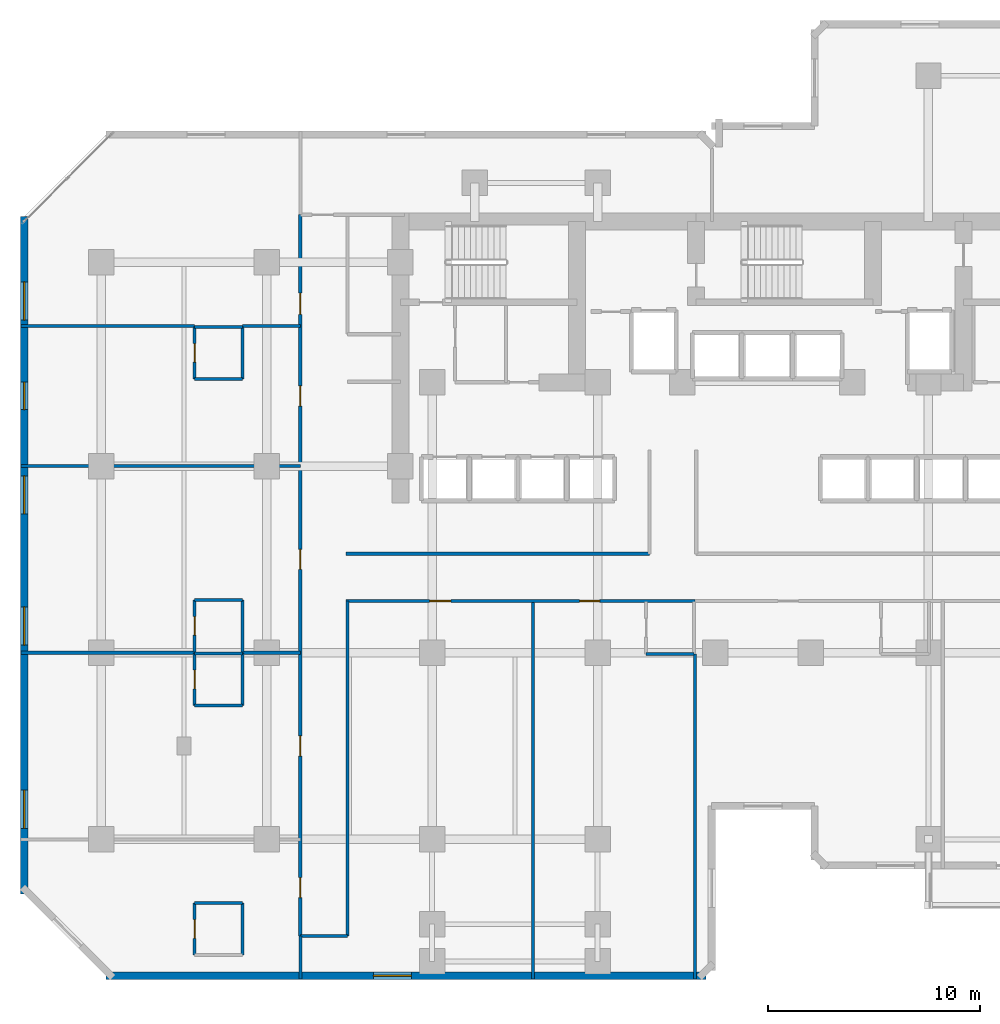
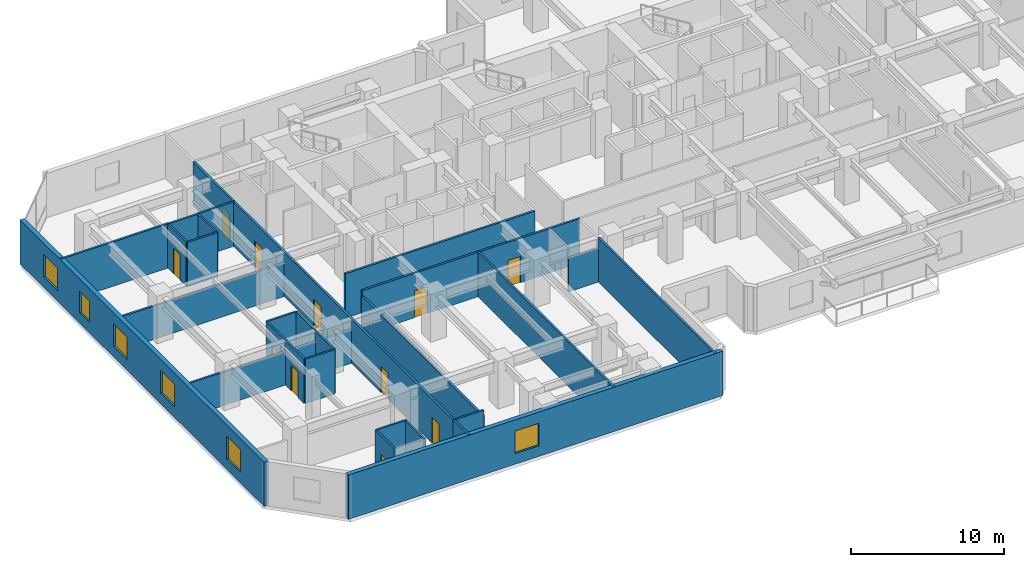
# One storey, part 5 of 11: 30 walls, 11 doors, 6 windows, 17 openings.
"""IFC4 building model written with IfcOpenShell, lengths in metres."""

from ifc_helpers import new_model, si_unit, direction, frame, frame_2d, origin, place, context, subcontext, project, spatial, rectangle, extrude, material, layer, layer_set, type_object, element, fill, save


model = new_model("IFC4")

# Units and contexts
model_context = context("Model", 3, precision=1e-05, world=origin(), true_north=direction((0.0, 1.0)))
body_context = subcontext(model_context, "Body", "Model", "MODEL_VIEW")
ifc_project = project(units=[si_unit("LENGTHUNIT", "METRE"), si_unit("AREAUNIT", "SQUARE_METRE"), si_unit("VOLUMEUNIT", "CUBIC_METRE"), si_unit("PLANEANGLEUNIT", "RADIAN"), si_unit("MASSUNIT", "GRAM", prefix="KILO")], contexts=[model_context])

# Site, building, storey
site_placement = place(None, origin())
site = spatial("IfcSite", under=ifc_project, at=site_placement, CompositionType="ELEMENT")
building_placement = place(site_placement, origin())
building = spatial("IfcBuilding", under=site, at=building_placement, Name="Kestravale Grand Hotel", CompositionType="ELEMENT")
storey_placement = place(building_placement, frame((0.0, 0.0, 114.60009765625)))
storey = spatial("IfcBuildingStorey", under=building, at=storey_placement, Name="L28", CompositionType="ELEMENT", Elevation=114.60009765625)

# Wall, opening, window
ifc_material_1 = material(Name="Precast concrete f'c 45 MPa", Category="concrete")
ifc_layer_1 = layer(ifc_material_1, 0.340087890625)
ifc_layer_set_1 = layer_set([ifc_layer_1], Name="EW-PREC-340")
wall_type_1 = type_object("IfcWallType", Name="EW-PREC-340", PredefinedType="SOLIDWALL", material=ifc_layer_set_1)
wall_1_placement = place(storey_placement, frame((8.030029296875, 4.77001953125, 0.0), z_axis=(0.0, 0.0, 1.0), x_axis=(1.0, 0.0, 0.0)))
wall_1 = element("IfcWall", 1, at=wall_1_placement, inside=storey, type_object=wall_type_1, Name="L28 fluted precast facade wall 1", PredefinedType="SOLIDWALL", context=body_context, shape_type="SweptSolid", body=[
    extrude(rectangle(XDim=28.2900390625, YDim=0.340087890625, at=frame_2d((14.14501953125, 0.0))), origin(), (0.0, 0.0, 1.0), 3.539794921875),
])
opening_1_placement = place(wall_1_placement, frame((12.594970703125, 0.0, 0.85009765625)))
opening_1 = element("IfcOpeningElement", 2, at=opening_1_placement, cuts=wall_1, Name="Opening W-GUEST-1800", PredefinedType="OPENING", context=body_context, shape_type="SweptSolid", body=[
    extrude(rectangle(XDim=1.800048828125, YDim=1.800048828125, at=frame_2d((0.89990234375, 0.89990234375))), frame((0.0, 0.179931640625, 0.0), z_axis=(0.0, -1.0, 0.0), x_axis=(1.0, 0.0, 0.0)), (0.0, 0.0, 1.0), 0.360107421875),
])
ifc_material_2 = material(Name="Insulated low-E double glazing in aluminium frame", Category="aluminium")
window_type_1 = type_object("IfcWindowType", Name="W-GUEST-1800", PartitioningType="DOUBLE_PANEL_VERTICAL", PredefinedType="WINDOW", material=ifc_material_2)
window_1_placement = place(opening_1_placement, origin())
window_1 = element("IfcWindow", 3, at=window_1_placement, inside=storey, type_object=window_type_1, Name="L28 exterior window 1.1", OverallHeight=1.800048828125, OverallWidth=1.800048828125, PartitioningType="SINGLE_PANEL", PredefinedType="WINDOW", context=body_context, shape_type="SweptSolid", body=[
    extrude(rectangle(XDim=1.800048828125, YDim=1.800048828125, at=frame_2d((0.89990234375, 0.89990234375))), frame((0.0, 0.030029296875, 0.0), z_axis=(0.0, -1.0, 0.0), x_axis=(1.0, 0.0, 0.0)), (0.0, 0.0, 1.0), 0.06005859375),
])
fill(opening_1, window_1)

# Wall, openings, windows
wall_2_placement = place(storey_placement, frame((4.169921875, 40.570068359375, 0.0), z_axis=(0.0, 0.0, 1.0), x_axis=(0.0, -1.0, 0.0)))
wall_2 = element("IfcWall", 4, at=wall_2_placement, inside=storey, type_object=wall_type_1, Name="L28 fluted precast facade wall 19", PredefinedType="SOLIDWALL", context=body_context, shape_type="SweptSolid", body=[
    extrude(rectangle(XDim=31.940185546875, YDim=0.340087890625, at=frame_2d((15.97021484375, 0.0))), origin(), (0.0, 0.0, 1.0), 3.539794921875),
])
opening_2_placement = place(wall_2_placement, frame((3.092529296875, 0.0, 0.85009765625)))
opening_2 = element("IfcOpeningElement", 5, at=opening_2_placement, cuts=wall_2, Name="Opening W-GUEST-1800", PredefinedType="OPENING", context=body_context, shape_type="SweptSolid", body=[
    extrude(rectangle(XDim=1.800048828125, YDim=1.800048828125, at=frame_2d((0.89990234375, 0.89990234375))), frame((0.0, 0.179931640625, 0.0), z_axis=(0.0, -1.0, 0.0), x_axis=(1.0, 0.0, 0.0)), (0.0, 0.0, 1.0), 0.360107421875),
])
opening_3_placement = place(wall_2_placement, frame((12.2275390625, 0.0, 0.85009765625)))
opening_3 = element("IfcOpeningElement", 6, at=opening_3_placement, cuts=wall_2, Name="Opening W-GUEST-1800", PredefinedType="OPENING", context=body_context, shape_type="SweptSolid", body=[
    extrude(rectangle(XDim=1.800048828125, YDim=1.800048828125, at=frame_2d((0.89990234375, 0.89990234375))), frame((0.0, 0.179931640625, 0.0), z_axis=(0.0, -1.0, 0.0), x_axis=(1.0, 0.0, 0.0)), (0.0, 0.0, 1.0), 0.360107421875),
])
opening_4_placement = place(wall_2_placement, frame((18.41259765625, 0.0, 0.85009765625)))
opening_4 = element("IfcOpeningElement", 7, at=opening_4_placement, cuts=wall_2, Name="Opening W-GUEST-1800", PredefinedType="OPENING", context=body_context, shape_type="SweptSolid", body=[
    extrude(rectangle(XDim=1.800048828125, YDim=1.800048828125, at=frame_2d((0.89990234375, 0.89990234375))), frame((0.0, 0.179931640625, 0.0), z_axis=(0.0, -1.0, 0.0), x_axis=(1.0, 0.0, 0.0)), (0.0, 0.0, 1.0), 0.360107421875),
])
opening_5_placement = place(wall_2_placement, frame((27.047607421875, 0.0, 0.85009765625)))
opening_5 = element("IfcOpeningElement", 8, at=opening_5_placement, cuts=wall_2, Name="Opening W-GUEST-1800", PredefinedType="OPENING", context=body_context, shape_type="SweptSolid", body=[
    extrude(rectangle(XDim=1.800048828125, YDim=1.800048828125, at=frame_2d((0.89990234375, 0.89990234375))), frame((0.0, 0.179931640625, 0.0), z_axis=(0.0, -1.0, 0.0), x_axis=(1.0, 0.0, 0.0)), (0.0, 0.0, 1.0), 0.360107421875),
])
opening_6_placement = place(wall_2_placement, frame((7.81005859375, 0.0, 0.85009765625)))
opening_6 = element("IfcOpeningElement", 9, at=opening_6_placement, cuts=wall_2, Name="Opening W-GUEST-1300", PredefinedType="OPENING", context=body_context, shape_type="SweptSolid", body=[
    extrude(rectangle(XDim=1.300048828125, YDim=1.699951171875, at=frame_2d((0.64990234375, 0.85009765625))), frame((0.0, 0.179931640625, 0.0), z_axis=(0.0, -1.0, 0.0), x_axis=(1.0, 0.0, 0.0)), (0.0, 0.0, 1.0), 0.360107421875),
])
ifc_material_3 = material(Name="Insulated low-E double glazing in aluminium frame", Category="aluminium")
window_type_2 = type_object("IfcWindowType", Name="W-GUEST-1300", PartitioningType="SINGLE_PANEL", PredefinedType="WINDOW", material=ifc_material_3)
window_2_placement = place(opening_6_placement, origin())
window_2 = element("IfcWindow", 10, at=window_2_placement, inside=storey, type_object=window_type_2, Name="L28 guestroom envelope window 1", OverallHeight=1.699951171875, OverallWidth=1.300048828125, PartitioningType="SINGLE_PANEL", PredefinedType="WINDOW", context=body_context, shape_type="SweptSolid", body=[
    extrude(rectangle(XDim=1.300048828125, YDim=1.699951171875, at=frame_2d((0.64990234375, 0.85009765625))), frame((0.0, 0.030029296875, 0.0), z_axis=(0.0, -1.0, 0.0), x_axis=(1.0, 0.0, 0.0)), (0.0, 0.0, 1.0), 0.06005859375),
])
fill(opening_6, window_2)
window_3_placement = place(opening_2_placement, origin())
window_3 = element("IfcWindow", 11, at=window_3_placement, inside=storey, type_object=window_type_1, Name="L28 exterior window 19.1", OverallHeight=1.800048828125, OverallWidth=1.800048828125, PartitioningType="SINGLE_PANEL", PredefinedType="WINDOW", context=body_context, shape_type="SweptSolid", body=[
    extrude(rectangle(XDim=1.800048828125, YDim=1.800048828125, at=frame_2d((0.89990234375, 0.89990234375))), frame((0.0, 0.030029296875, 0.0), z_axis=(0.0, -1.0, 0.0), x_axis=(1.0, 0.0, 0.0)), (0.0, 0.0, 1.0), 0.06005859375),
])
fill(opening_2, window_3)
window_4_placement = place(opening_3_placement, origin())
window_4 = element("IfcWindow", 12, at=window_4_placement, inside=storey, type_object=window_type_1, Name="L28 exterior window 19.2", OverallHeight=1.800048828125, OverallWidth=1.800048828125, PartitioningType="SINGLE_PANEL", PredefinedType="WINDOW", context=body_context, shape_type="SweptSolid", body=[
    extrude(rectangle(XDim=1.800048828125, YDim=1.800048828125, at=frame_2d((0.89990234375, 0.89990234375))), frame((0.0, 0.030029296875, 0.0), z_axis=(0.0, -1.0, 0.0), x_axis=(1.0, 0.0, 0.0)), (0.0, 0.0, 1.0), 0.06005859375),
])
fill(opening_3, window_4)
window_5_placement = place(opening_4_placement, origin())
window_5 = element("IfcWindow", 13, at=window_5_placement, inside=storey, type_object=window_type_1, Name="L28 exterior window 19.3", OverallHeight=1.800048828125, OverallWidth=1.800048828125, PartitioningType="SINGLE_PANEL", PredefinedType="WINDOW", context=body_context, shape_type="SweptSolid", body=[
    extrude(rectangle(XDim=1.800048828125, YDim=1.800048828125, at=frame_2d((0.89990234375, 0.89990234375))), frame((0.0, 0.030029296875, 0.0), z_axis=(0.0, -1.0, 0.0), x_axis=(1.0, 0.0, 0.0)), (0.0, 0.0, 1.0), 0.06005859375),
])
fill(opening_4, window_5)
window_6_placement = place(opening_5_placement, origin())
window_6 = element("IfcWindow", 14, at=window_6_placement, inside=storey, type_object=window_type_1, Name="L28 exterior window 19.4", OverallHeight=1.800048828125, OverallWidth=1.800048828125, PartitioningType="SINGLE_PANEL", PredefinedType="WINDOW", context=body_context, shape_type="SweptSolid", body=[
    extrude(rectangle(XDim=1.800048828125, YDim=1.800048828125, at=frame_2d((0.89990234375, 0.89990234375))), frame((0.0, 0.030029296875, 0.0), z_axis=(0.0, -1.0, 0.0), x_axis=(1.0, 0.0, 0.0)), (0.0, 0.0, 1.0), 0.06005859375),
])
fill(opening_5, window_6)

# Wall
ifc_material_4 = material(Name="Acoustic fire-rated gypsum board partition", Category="other")
ifc_layer_2 = layer(ifc_material_4, 0.159912109375)
ifc_layer_set_2 = layer_set([ifc_layer_2], Name="IW-CORR-160")
wall_type_2 = type_object("IfcWallType", Name="IW-CORR-160", PredefinedType="PARTITIONING", material=ifc_layer_set_2)
wall_3_placement = place(storey_placement, frame((19.35009765625, 24.659912109375, 0.0), z_axis=(0.0, 0.0, 1.0), x_axis=(1.0, 0.0, 0.0)))
element("IfcWall", 15, at=wall_3_placement, inside=storey, type_object=wall_type_2, Name="W-L28-CW-N", PredefinedType="PARTITIONING", context=body_context, shape_type="SweptSolid", body=[
    extrude(rectangle(XDim=14.2998046875, YDim=0.159912109375, at=frame_2d((7.14990234375, 0.0))), origin(), (0.0, 0.0, 1.0), 3.539794921875),
])

# Wall, openings, doors
wall_4_placement = place(storey_placement, frame((19.35009765625, 22.43994140625, 0.0), z_axis=(0.0, 0.0, 1.0), x_axis=(1.0, 0.0, 0.0)))
wall_4 = element("IfcWall", 16, at=wall_4_placement, inside=storey, type_object=wall_type_2, Name="W-L28-CW-S", PredefinedType="PARTITIONING", context=body_context, shape_type="SweptSolid", body=[
    extrude(rectangle(XDim=16.449951171875, YDim=0.159912109375, at=frame_2d((8.22509765625, 0.0))), origin(), (0.0, 0.0, 1.0), 3.539794921875),
])
opening_7_placement = place(wall_4_placement, frame((3.9326171875, 0.0, 0.0)))
opening_7 = element("IfcOpeningElement", 17, at=opening_7_placement, cuts=wall_4, Name="Opening D-GUEST-1000", PredefinedType="OPENING", context=body_context, shape_type="SweptSolid", body=[
    extrude(rectangle(XDim=1.0, YDim=2.14990234375, at=frame_2d((0.5, 1.074951171875))), frame((0.0, 0.08984375, 0.0), z_axis=(0.0, -1.0, 0.0), x_axis=(1.0, 0.0, 0.0)), (0.0, 0.0, 1.0), 0.179931640625),
])
opening_8_placement = place(wall_4_placement, frame((10.99755859375, 0.0, 0.0)))
opening_8 = element("IfcOpeningElement", 18, at=opening_8_placement, cuts=wall_4, Name="Opening D-GUEST-950", PredefinedType="OPENING", context=body_context, shape_type="SweptSolid", body=[
    extrude(rectangle(XDim=0.949951171875, YDim=2.10009765625, at=frame_2d((0.47509765625, 1.050048828125))), frame((0.0, 0.08984375, 0.0), z_axis=(0.0, -1.0, 0.0), x_axis=(1.0, 0.0, 0.0)), (0.0, 0.0, 1.0), 0.179931640625),
])
ifc_material_5 = material(Name="Accessible walnut veneer hotel entrance fire door", Category="wood")
door_type_1 = type_object("IfcDoorType", Name="D-GUEST-1000", OperationType="NOTDEFINED", PredefinedType="DOOR", material=ifc_material_5)
door_1_placement = place(opening_7_placement, origin())
door_1 = element("IfcDoor", 19, at=door_1_placement, inside=storey, type_object=door_type_1, Name="D-L28-AMW", OperationType="SINGLE_SWING_LEFT", OverallHeight=2.14990234375, OverallWidth=1.0, PredefinedType="DOOR", context=body_context, shape_type="SweptSolid", body=[
    extrude(rectangle(XDim=1.0, YDim=2.14990234375, at=frame_2d((0.5, 1.074951171875))), frame((0.0, 0.02490234375, 0.0), z_axis=(0.0, -1.0, 0.0), x_axis=(1.0, 0.0, 0.0)), (0.0, 0.0, 1.0), 0.050048828125),
])
fill(opening_7, door_1)
ifc_material_6 = material(Name="Walnut veneer hotel guestroom entrance fire door", Category="wood")
door_type_2 = type_object("IfcDoorType", Name="D-GUEST-950", OperationType="NOTDEFINED", PredefinedType="DOOR", material=ifc_material_6)
door_2_placement = place(opening_8_placement, origin())
door_2 = element("IfcDoor", 20, at=door_2_placement, inside=storey, type_object=door_type_2, Name="D-L28-U01-ENT", OperationType="SINGLE_SWING_LEFT", OverallHeight=2.10009765625, OverallWidth=0.949951171875, PredefinedType="DOOR", context=body_context, shape_type="SweptSolid", body=[
    extrude(rectangle(XDim=0.949951171875, YDim=2.10009765625, at=frame_2d((0.47509765625, 1.050048828125))), frame((0.0, 0.02490234375, 0.0), z_axis=(0.0, -1.0, 0.0), x_axis=(1.0, 0.0, 0.0)), (0.0, 0.0, 1.0), 0.050048828125),
])
fill(opening_8, door_2)

wall_5_placement = place(storey_placement, frame((17.18994140625, 6.64990234375, 0.0), z_axis=(0.0, 0.0, 1.0), x_axis=(0.0, 1.0, 0.0)))
wall_5 = element("IfcWall", 21, at=wall_5_placement, inside=storey, type_object=wall_type_2, Name="W-L28-SW-W", PredefinedType="PARTITIONING", context=body_context, shape_type="SweptSolid", body=[
    extrude(rectangle(XDim=34.0, YDim=0.159912109375, at=frame_2d((17.0, 0.0))), origin(), (0.0, 0.0, 1.0), 3.539794921875),
])
opening_9_placement = place(wall_5_placement, frame((1.800048828125, 0.0, 0.0)))
opening_9 = element("IfcOpeningElement", 22, at=opening_9_placement, cuts=wall_5, Name="Opening D-GUEST-950", PredefinedType="OPENING", context=body_context, shape_type="SweptSolid", body=[
    extrude(rectangle(XDim=0.949951171875, YDim=2.10009765625, at=frame_2d((0.47509765625, 1.050048828125))), frame((0.0, 0.08984375, 0.0), z_axis=(0.0, -1.0, 0.0), x_axis=(1.0, 0.0, 0.0)), (0.0, 0.0, 1.0), 0.179931640625),
])
opening_10_placement = place(wall_5_placement, frame((8.47509765625, 0.0, 0.0)))
opening_10 = element("IfcOpeningElement", 23, at=opening_10_placement, cuts=wall_5, Name="Opening D-GUEST-950", PredefinedType="OPENING", context=body_context, shape_type="SweptSolid", body=[
    extrude(rectangle(XDim=0.949951171875, YDim=2.10009765625, at=frame_2d((0.47509765625, 1.050048828125))), frame((0.0, 0.08984375, 0.0), z_axis=(0.0, -1.0, 0.0), x_axis=(1.0, 0.0, 0.0)), (0.0, 0.0, 1.0), 0.179931640625),
])
opening_11_placement = place(wall_5_placement, frame((17.27490234375, 0.0, 0.0)))
opening_11 = element("IfcOpeningElement", 24, at=opening_11_placement, cuts=wall_5, Name="Opening D-GUEST-950", PredefinedType="OPENING", context=body_context, shape_type="SweptSolid", body=[
    extrude(rectangle(XDim=0.949951171875, YDim=2.10009765625, at=frame_2d((0.47509765625, 1.050048828125))), frame((0.0, 0.08984375, 0.0), z_axis=(0.0, -1.0, 0.0), x_axis=(1.0, 0.0, 0.0)), (0.0, 0.0, 1.0), 0.179931640625),
])
opening_12_placement = place(wall_5_placement, frame((24.97509765625, 0.0, 0.0)))
opening_12 = element("IfcOpeningElement", 25, at=opening_12_placement, cuts=wall_5, Name="Opening D-GUEST-950", PredefinedType="OPENING", context=body_context, shape_type="SweptSolid", body=[
    extrude(rectangle(XDim=0.949951171875, YDim=2.10009765625, at=frame_2d((0.47509765625, 1.050048828125))), frame((0.0, 0.08984375, 0.0), z_axis=(0.0, -1.0, 0.0), x_axis=(1.0, 0.0, 0.0)), (0.0, 0.0, 1.0), 0.179931640625),
])
opening_13_placement = place(wall_5_placement, frame((29.300048828125, 0.0, 0.0)))
opening_13 = element("IfcOpeningElement", 26, at=opening_13_placement, cuts=wall_5, Name="Opening D-GUEST-1000", PredefinedType="OPENING", context=body_context, shape_type="SweptSolid", body=[
    extrude(rectangle(XDim=1.0, YDim=2.14990234375, at=frame_2d((0.5, 1.074951171875))), frame((0.0, 0.08984375, 0.0), z_axis=(0.0, -1.0, 0.0), x_axis=(1.0, 0.0, 0.0)), (0.0, 0.0, 1.0), 0.179931640625),
])
door_3_placement = place(opening_13_placement, origin())
door_3 = element("IfcDoor", 27, at=door_3_placement, inside=storey, type_object=door_type_1, Name="D-L28-AMWW", OperationType="SINGLE_SWING_LEFT", OverallHeight=2.14990234375, OverallWidth=1.0, PredefinedType="DOOR", context=body_context, shape_type="SweptSolid", body=[
    extrude(rectangle(XDim=1.0, YDim=2.14990234375, at=frame_2d((0.5, 1.074951171875))), frame((0.0, 0.02490234375, 0.0), z_axis=(0.0, -1.0, 0.0), x_axis=(1.0, 0.0, 0.0)), (0.0, 0.0, 1.0), 0.050048828125),
])
fill(opening_13, door_3)
door_4_placement = place(opening_9_placement, origin())
door_4 = element("IfcDoor", 28, at=door_4_placement, inside=storey, type_object=door_type_2, Name="D-L28-U03-ENT", OperationType="SINGLE_SWING_RIGHT", OverallHeight=2.10009765625, OverallWidth=0.949951171875, PredefinedType="DOOR", context=body_context, shape_type="SweptSolid", body=[
    extrude(rectangle(XDim=0.949951171875, YDim=2.10009765625, at=frame_2d((0.47509765625, 1.050048828125))), frame((0.0, 0.02490234375, 0.0), z_axis=(0.0, -1.0, 0.0), x_axis=(1.0, 0.0, 0.0)), (0.0, 0.0, 1.0), 0.050048828125),
])
fill(opening_9, door_4)
door_5_placement = place(opening_10_placement, origin())
door_5 = element("IfcDoor", 29, at=door_5_placement, inside=storey, type_object=door_type_2, Name="D-L28-U04-ENT", OperationType="SINGLE_SWING_RIGHT", OverallHeight=2.10009765625, OverallWidth=0.949951171875, PredefinedType="DOOR", context=body_context, shape_type="SweptSolid", body=[
    extrude(rectangle(XDim=0.949951171875, YDim=2.10009765625, at=frame_2d((0.47509765625, 1.050048828125))), frame((0.0, 0.02490234375, 0.0), z_axis=(0.0, -1.0, 0.0), x_axis=(1.0, 0.0, 0.0)), (0.0, 0.0, 1.0), 0.050048828125),
])
fill(opening_10, door_5)
door_6_placement = place(opening_11_placement, origin())
door_6 = element("IfcDoor", 30, at=door_6_placement, inside=storey, type_object=door_type_2, Name="D-L28-U05-ENT", OperationType="SINGLE_SWING_RIGHT", OverallHeight=2.10009765625, OverallWidth=0.949951171875, PredefinedType="DOOR", context=body_context, shape_type="SweptSolid", body=[
    extrude(rectangle(XDim=0.949951171875, YDim=2.10009765625, at=frame_2d((0.47509765625, 1.050048828125))), frame((0.0, 0.02490234375, 0.0), z_axis=(0.0, -1.0, 0.0), x_axis=(1.0, 0.0, 0.0)), (0.0, 0.0, 1.0), 0.050048828125),
])
fill(opening_11, door_6)
door_7_placement = place(opening_12_placement, origin())
door_7 = element("IfcDoor", 31, at=door_7_placement, inside=storey, type_object=door_type_2, Name="D-L28-U06-ENT", OperationType="SINGLE_SWING_RIGHT", OverallHeight=2.10009765625, OverallWidth=0.949951171875, PredefinedType="DOOR", context=body_context, shape_type="SweptSolid", body=[
    extrude(rectangle(XDim=0.949951171875, YDim=2.10009765625, at=frame_2d((0.47509765625, 1.050048828125))), frame((0.0, 0.02490234375, 0.0), z_axis=(0.0, -1.0, 0.0), x_axis=(1.0, 0.0, 0.0)), (0.0, 0.0, 1.0), 0.050048828125),
])
fill(opening_12, door_7)

# Walls
wall_6_placement = place(storey_placement, frame((19.409912109375, 6.64990234375, 0.0), z_axis=(0.0, 0.0, 1.0), x_axis=(0.0, 1.0, 0.0)))
element("IfcWall", 32, at=wall_6_placement, inside=storey, type_object=wall_type_2, Name="W-L28-SW-E", PredefinedType="PARTITIONING", context=body_context, shape_type="SweptSolid", body=[
    extrude(rectangle(XDim=15.7900390625, YDim=0.159912109375, at=frame_2d((7.89501953125, 0.0))), origin(), (0.0, 0.0, 1.0), 3.0830078125),
])
ifc_material_7 = material(Name="Moisture-resistant tile-backer plumbing chase wall", Category="other")
ifc_layer_3 = layer(ifc_material_7, 0.139892578125)
ifc_layer_set_3 = layer_set([ifc_layer_3], Name="IW-PLB-140")
wall_type_3 = type_object("IfcWallType", Name="IW-PLB-140", PredefinedType="PLUMBINGWALL", material=ifc_layer_set_3)
wall_7_placement = place(storey_placement, frame((33.489990234375, 19.929931640625, 0.0), z_axis=(0.0, 0.0, 1.0), x_axis=(1.0, 0.0, 0.0)))
element("IfcWall", 33, at=wall_7_placement, inside=storey, type_object=wall_type_3, Name="W-L28-U01-BS", PredefinedType="PLUMBINGWALL", context=body_context, shape_type="SweptSolid", body=[
    extrude(rectangle(XDim=2.25, YDim=0.139892578125, at=frame_2d((1.125, 0.0))), origin(), (0.0, 0.0, 1.0), 2.678955078125),
])

# Wall, opening, door
wall_8_placement = place(storey_placement, frame((12.199951171875, 5.75, 0.0), z_axis=(0.0, 0.0, 1.0), x_axis=(0.0, 1.0, 0.0)))
wall_8 = element("IfcWall", 34, at=wall_8_placement, inside=storey, type_object=wall_type_3, Name="W-L28-U03-BW", PredefinedType="PLUMBINGWALL", context=body_context, shape_type="SweptSolid", body=[
    extrude(rectangle(XDim=2.449951171875, YDim=0.139892578125, at=frame_2d((1.22509765625, 0.0))), origin(), (0.0, 0.0, 1.0), 3.539794921875),
])
opening_14_placement = place(wall_8_placement, frame((0.784912109375, 0.0, 0.0)))
opening_14 = element("IfcOpeningElement", 35, at=opening_14_placement, cuts=wall_8, Name="Opening D-BATH-880", PredefinedType="OPENING", context=body_context, shape_type="SweptSolid", body=[
    extrude(rectangle(XDim=0.8798828125, YDim=2.050048828125, at=frame_2d((0.43994140625, 1.02490234375))), frame((0.0, 0.079833984375, 0.0), z_axis=(0.0, -1.0, 0.0), x_axis=(1.0, 0.0, 0.0)), (0.0, 0.0, 1.0), 0.159912109375),
])
ifc_material_8 = material(Name="Moisture-sealed walnut en-suite bathroom door", Category="wood")
door_type_3 = type_object("IfcDoorType", Name="D-BATH-880", OperationType="NOTDEFINED", PredefinedType="DOOR", material=ifc_material_8)
door_8_placement = place(opening_14_placement, origin())
door_8 = element("IfcDoor", 36, at=door_8_placement, inside=storey, type_object=door_type_3, Name="D-L28-U03-BATH", OperationType="SINGLE_SWING_LEFT", OverallHeight=2.050048828125, OverallWidth=0.8798828125, PredefinedType="DOOR", context=body_context, shape_type="SweptSolid", body=[
    extrude(rectangle(XDim=0.8798828125, YDim=2.050048828125, at=frame_2d((0.43994140625, 1.02490234375))), frame((0.0, 0.02490234375, 0.0), z_axis=(0.0, -1.0, 0.0), x_axis=(1.0, 0.0, 0.0)), (0.0, 0.0, 1.0), 0.050048828125),
])
fill(opening_14, door_8)

# Walls
wall_9_placement = place(storey_placement, frame((14.449951171875, 5.75, 0.0), z_axis=(0.0, 0.0, 1.0), x_axis=(0.0, 1.0, 0.0)))
element("IfcWall", 37, at=wall_9_placement, inside=storey, type_object=wall_type_3, Name="W-L28-U03-BE", PredefinedType="PLUMBINGWALL", context=body_context, shape_type="SweptSolid", body=[
    extrude(rectangle(XDim=2.449951171875, YDim=0.139892578125, at=frame_2d((1.22509765625, 0.0))), origin(), (0.0, 0.0, 1.0), 3.539794921875),
])
wall_10_placement = place(storey_placement, frame((12.199951171875, 8.199951171875, 0.0), z_axis=(0.0, 0.0, 1.0), x_axis=(1.0, 0.0, 0.0)))
element("IfcWall", 38, at=wall_10_placement, inside=storey, type_object=wall_type_3, Name="W-L28-U03-BN", PredefinedType="PLUMBINGWALL", context=body_context, shape_type="SweptSolid", body=[
    extrude(rectangle(XDim=2.25, YDim=0.139892578125, at=frame_2d((1.125, 0.0))), origin(), (0.0, 0.0, 1.0), 3.539794921875),
])

# Wall, opening, door
wall_11_placement = place(storey_placement, frame((12.199951171875, 17.510009765625, 0.0), z_axis=(0.0, 0.0, 1.0), x_axis=(0.0, 1.0, 0.0)))
wall_11 = element("IfcWall", 39, at=wall_11_placement, inside=storey, type_object=wall_type_3, Name="W-L28-U04-BW", PredefinedType="PLUMBINGWALL", context=body_context, shape_type="SweptSolid", body=[
    extrude(rectangle(XDim=2.449951171875, YDim=0.139892578125, at=frame_2d((1.22509765625, 0.0))), origin(), (0.0, 0.0, 1.0), 3.539794921875),
])
opening_15_placement = place(wall_11_placement, frame((0.784912109375, 0.0, 0.0)))
opening_15 = element("IfcOpeningElement", 40, at=opening_15_placement, cuts=wall_11, Name="Opening D-BATH-880", PredefinedType="OPENING", context=body_context, shape_type="SweptSolid", body=[
    extrude(rectangle(XDim=0.8798828125, YDim=2.050048828125, at=frame_2d((0.43994140625, 1.02490234375))), frame((0.0, 0.079833984375, 0.0), z_axis=(0.0, -1.0, 0.0), x_axis=(1.0, 0.0, 0.0)), (0.0, 0.0, 1.0), 0.159912109375),
])
door_9_placement = place(opening_15_placement, origin())
door_9 = element("IfcDoor", 41, at=door_9_placement, inside=storey, type_object=door_type_3, Name="D-L28-U04-BATH", OperationType="SINGLE_SWING_LEFT", OverallHeight=2.050048828125, OverallWidth=0.8798828125, PredefinedType="DOOR", context=body_context, shape_type="SweptSolid", body=[
    extrude(rectangle(XDim=0.8798828125, YDim=2.050048828125, at=frame_2d((0.43994140625, 1.02490234375))), frame((0.0, 0.02490234375, 0.0), z_axis=(0.0, -1.0, 0.0), x_axis=(1.0, 0.0, 0.0)), (0.0, 0.0, 1.0), 0.050048828125),
])
fill(opening_15, door_9)

# Walls
wall_12_placement = place(storey_placement, frame((14.449951171875, 17.510009765625, 0.0), z_axis=(0.0, 0.0, 1.0), x_axis=(0.0, 1.0, 0.0)))
element("IfcWall", 42, at=wall_12_placement, inside=storey, type_object=wall_type_3, Name="W-L28-U04-BE", PredefinedType="PLUMBINGWALL", context=body_context, shape_type="SweptSolid", body=[
    extrude(rectangle(XDim=2.449951171875, YDim=0.139892578125, at=frame_2d((1.22509765625, 0.0))), origin(), (0.0, 0.0, 1.0), 3.539794921875),
])
wall_13_placement = place(storey_placement, frame((12.199951171875, 17.510009765625, 0.0), z_axis=(0.0, 0.0, 1.0), x_axis=(1.0, 0.0, 0.0)))
element("IfcWall", 43, at=wall_13_placement, inside=storey, type_object=wall_type_3, Name="W-L28-U04-BS", PredefinedType="PLUMBINGWALL", context=body_context, shape_type="SweptSolid", body=[
    extrude(rectangle(XDim=2.25, YDim=0.139892578125, at=frame_2d((1.125, 0.0))), origin(), (0.0, 0.0, 1.0), 3.539794921875),
])
wall_14_placement = place(storey_placement, frame((12.199951171875, 19.9599609375, 0.0), z_axis=(0.0, 0.0, 1.0), x_axis=(1.0, 0.0, 0.0)))
element("IfcWall", 44, at=wall_14_placement, inside=storey, type_object=wall_type_3, Name="W-L28-U04-BN", PredefinedType="PLUMBINGWALL", context=body_context, shape_type="SweptSolid", body=[
    extrude(rectangle(XDim=2.25, YDim=0.139892578125, at=frame_2d((1.125, 0.0))), origin(), (0.0, 0.0, 1.0), 2.678955078125),
])

# Wall, opening, door
wall_15_placement = place(storey_placement, frame((12.199951171875, 20.0400390625, 0.0), z_axis=(0.0, 0.0, 1.0), x_axis=(0.0, 1.0, 0.0)))
wall_15 = element("IfcWall", 45, at=wall_15_placement, inside=storey, type_object=wall_type_3, Name="W-L28-U05-BW", PredefinedType="PLUMBINGWALL", context=body_context, shape_type="SweptSolid", body=[
    extrude(rectangle(XDim=2.449951171875, YDim=0.139892578125, at=frame_2d((1.22509765625, 0.0))), origin(), (0.0, 0.0, 1.0), 3.539794921875),
])
opening_16_placement = place(wall_15_placement, frame((0.784912109375, 0.0, 0.0)))
opening_16 = element("IfcOpeningElement", 46, at=opening_16_placement, cuts=wall_15, Name="Opening D-BATH-880", PredefinedType="OPENING", context=body_context, shape_type="SweptSolid", body=[
    extrude(rectangle(XDim=0.8798828125, YDim=2.050048828125, at=frame_2d((0.43994140625, 1.02490234375))), frame((0.0, 0.079833984375, 0.0), z_axis=(0.0, -1.0, 0.0), x_axis=(1.0, 0.0, 0.0)), (0.0, 0.0, 1.0), 0.159912109375),
])
door_10_placement = place(opening_16_placement, origin())
door_10 = element("IfcDoor", 47, at=door_10_placement, inside=storey, type_object=door_type_3, Name="D-L28-U05-BATH", OperationType="SINGLE_SWING_LEFT", OverallHeight=2.050048828125, OverallWidth=0.8798828125, PredefinedType="DOOR", context=body_context, shape_type="SweptSolid", body=[
    extrude(rectangle(XDim=0.8798828125, YDim=2.050048828125, at=frame_2d((0.43994140625, 1.02490234375))), frame((0.0, 0.02490234375, 0.0), z_axis=(0.0, -1.0, 0.0), x_axis=(1.0, 0.0, 0.0)), (0.0, 0.0, 1.0), 0.050048828125),
])
fill(opening_16, door_10)

# Walls
wall_16_placement = place(storey_placement, frame((14.449951171875, 20.0400390625, 0.0), z_axis=(0.0, 0.0, 1.0), x_axis=(0.0, 1.0, 0.0)))
element("IfcWall", 48, at=wall_16_placement, inside=storey, type_object=wall_type_3, Name="W-L28-U05-BE", PredefinedType="PLUMBINGWALL", context=body_context, shape_type="SweptSolid", body=[
    extrude(rectangle(XDim=2.449951171875, YDim=0.139892578125, at=frame_2d((1.22509765625, 0.0))), origin(), (0.0, 0.0, 1.0), 3.539794921875),
])
wall_17_placement = place(storey_placement, frame((12.199951171875, 22.489990234375, 0.0), z_axis=(0.0, 0.0, 1.0), x_axis=(1.0, 0.0, 0.0)))
element("IfcWall", 49, at=wall_17_placement, inside=storey, type_object=wall_type_3, Name="W-L28-U05-BN", PredefinedType="PLUMBINGWALL", context=body_context, shape_type="SweptSolid", body=[
    extrude(rectangle(XDim=2.25, YDim=0.139892578125, at=frame_2d((1.125, 0.0))), origin(), (0.0, 0.0, 1.0), 3.539794921875),
])

# Wall, opening, door
wall_18_placement = place(storey_placement, frame((12.199951171875, 32.909912109375, 0.0), z_axis=(0.0, 0.0, 1.0), x_axis=(0.0, 1.0, 0.0)))
wall_18 = element("IfcWall", 50, at=wall_18_placement, inside=storey, type_object=wall_type_3, Name="W-L28-U06-BW", PredefinedType="PLUMBINGWALL", context=body_context, shape_type="SweptSolid", body=[
    extrude(rectangle(XDim=2.4501953125, YDim=0.139892578125, at=frame_2d((1.22509765625, 0.0))), origin(), (0.0, 0.0, 1.0), 3.539794921875),
])
opening_17_placement = place(wall_18_placement, frame((0.784912109375, 0.0, 0.0)))
opening_17 = element("IfcOpeningElement", 51, at=opening_17_placement, cuts=wall_18, Name="Opening D-BATH-880", PredefinedType="OPENING", context=body_context, shape_type="SweptSolid", body=[
    extrude(rectangle(XDim=0.8798828125, YDim=2.050048828125, at=frame_2d((0.43994140625, 1.02490234375))), frame((0.0, 0.079833984375, 0.0), z_axis=(0.0, -1.0, 0.0), x_axis=(1.0, 0.0, 0.0)), (0.0, 0.0, 1.0), 0.159912109375),
])
door_11_placement = place(opening_17_placement, origin())
door_11 = element("IfcDoor", 52, at=door_11_placement, inside=storey, type_object=door_type_3, Name="D-L28-U06-BATH", OperationType="SINGLE_SWING_LEFT", OverallHeight=2.050048828125, OverallWidth=0.8798828125, PredefinedType="DOOR", context=body_context, shape_type="SweptSolid", body=[
    extrude(rectangle(XDim=0.8798828125, YDim=2.050048828125, at=frame_2d((0.43994140625, 1.02490234375))), frame((0.0, 0.02490234375, 0.0), z_axis=(0.0, -1.0, 0.0), x_axis=(1.0, 0.0, 0.0)), (0.0, 0.0, 1.0), 0.050048828125),
])
fill(opening_17, door_11)

# Walls
wall_19_placement = place(storey_placement, frame((14.449951171875, 32.909912109375, 0.0), z_axis=(0.0, 0.0, 1.0), x_axis=(0.0, 1.0, 0.0)))
element("IfcWall", 53, at=wall_19_placement, inside=storey, type_object=wall_type_3, Name="W-L28-U06-BE", PredefinedType="PLUMBINGWALL", context=body_context, shape_type="SweptSolid", body=[
    extrude(rectangle(XDim=2.4501953125, YDim=0.139892578125, at=frame_2d((1.22509765625, 0.0))), origin(), (0.0, 0.0, 1.0), 3.539794921875),
])
for number, where, z_axis, x_axis, name in (
    (54, (12.199951171875, 32.909912109375, 0.0), (0.0, 0.0, 1.0), (1.0, 0.0, 0.0), "W-L28-U06-BS"),
    (55, (12.199951171875, 35.360107421875, 0.0), (0.0, 0.0, 1.0), (1.0, 0.0, 0.0), "W-L28-U06-BN"),
):
    element("IfcWall", number, at=place(storey_placement, frame(where, z_axis=z_axis, x_axis=x_axis)), inside=storey, type_object=wall_type_3, Name=name, PredefinedType="PLUMBINGWALL", context=body_context, shape_type="SweptSolid", body=[
        extrude(rectangle(XDim=2.25, YDim=0.139892578125, at=frame_2d((1.125, 0.0))), origin(), (0.0, 0.0, 1.0), 3.539794921875),
    ])
ifc_material_9 = material(Name="Double-stud STC 52 acoustic demising partition", Category="other")
ifc_layer_4 = layer(ifc_material_9, 0.14990234375)
ifc_layer_set_4 = layer_set([ifc_layer_4], Name="IW-UNIT-150")
wall_type_4 = type_object("IfcWallType", Name="IW-UNIT-150", PredefinedType="PARTITIONING", material=ifc_layer_set_4)
wall_20_placement = place(storey_placement, frame((17.18994140625, 6.64990234375, 0.0), z_axis=(0.0, 0.0, 1.0), x_axis=(1.0, 0.0, 0.0)))
element("IfcWall", 56, at=wall_20_placement, inside=storey, type_object=wall_type_4, Name="W-L28-SW-S", PredefinedType="PARTITIONING", context=body_context, shape_type="SweptSolid", body=[
    extrude(rectangle(XDim=2.219970703125, YDim=0.14990234375, at=frame_2d((1.10986328125, 0.0))), origin(), (0.0, 0.0, 1.0), 3.539794921875),
])
wall_21_placement = place(storey_placement, frame((28.155029296875, 4.6201171875, 0.0), z_axis=(0.0, 0.0, 1.0), x_axis=(0.0, 1.0, 0.0)))
element("IfcWall", 57, at=wall_21_placement, inside=storey, type_object=wall_type_4, Name="W-L28-WS-1", PredefinedType="PARTITIONING", context=body_context, shape_type="SweptSolid", body=[
    extrude(rectangle(XDim=17.81982421875, YDim=0.14990234375, at=frame_2d((8.909912109375, 0.0))), origin(), (0.0, 0.0, 1.0), 3.539794921875),
])
wall_22_placement = place(storey_placement, frame((35.800048828125, 4.6201171875, 0.0), z_axis=(0.0, 0.0, 1.0), x_axis=(0.0, 1.0, 0.0)))
element("IfcWall", 58, at=wall_22_placement, inside=storey, type_object=wall_type_4, Name="W-L28-MID-S", PredefinedType="PARTITIONING", context=body_context, shape_type="SweptSolid", body=[
    extrude(rectangle(XDim=15.309814453125, YDim=0.14990234375, at=frame_2d((7.65478515625, 0.0))), origin(), (0.0, 0.0, 1.0), 3.539794921875),
])
wall_23_placement = place(storey_placement, frame((17.18994140625, 4.6201171875, 0.0), z_axis=(0.0, 0.0, 1.0), x_axis=(0.0, 1.0, 0.0)))
element("IfcWall", 59, at=wall_23_placement, inside=storey, type_object=wall_type_4, Name="W-L28-SW-EXT", PredefinedType="PARTITIONING", context=body_context, shape_type="SweptSolid", body=[
    extrude(rectangle(XDim=2.02978515625, YDim=0.14990234375, at=frame_2d((1.014892578125, 0.0))), origin(), (0.0, 0.0, 1.0), 3.539794921875),
])
wall_24_placement = place(storey_placement, frame((4.02001953125, 20.0, 0.0), z_axis=(0.0, 0.0, 1.0), x_axis=(1.0, 0.0, 0.0)))
element("IfcWall", 60, at=wall_24_placement, inside=storey, type_object=wall_type_4, Name="W-L28-WW-2", PredefinedType="PARTITIONING", context=body_context, shape_type="SweptSolid", body=[
    extrude(rectangle(XDim=8.179931640625, YDim=0.14990234375, at=frame_2d((4.08984375, 0.0))), origin(), (0.0, 0.0, 1.0), 2.678955078125),
])
wall_25_placement = place(storey_placement, frame((14.449951171875, 20.0, 0.0), z_axis=(0.0, 0.0, 1.0), x_axis=(1.0, 0.0, 0.0)))
element("IfcWall", 61, at=wall_25_placement, inside=storey, type_object=wall_type_4, Name="W-L28-WW-2", PredefinedType="PARTITIONING", context=body_context, shape_type="SweptSolid", body=[
    extrude(rectangle(XDim=2.739990234375, YDim=0.14990234375, at=frame_2d((1.3701171875, 0.0))), origin(), (0.0, 0.0, 1.0), 2.678955078125),
])
wall_26_placement = place(storey_placement, frame((4.02001953125, 28.800048828125, 0.0), z_axis=(0.0, 0.0, 1.0), x_axis=(1.0, 0.0, 0.0)))
element("IfcWall", 62, at=wall_26_placement, inside=storey, type_object=wall_type_4, Name="W-L28-WW-3", PredefinedType="PARTITIONING", context=body_context, shape_type="SweptSolid", body=[
    extrude(rectangle(XDim=13.169921875, YDim=0.14990234375, at=frame_2d((6.5849609375, 0.0))), origin(), (0.0, 0.0, 1.0), 2.678955078125),
])
wall_27_placement = place(storey_placement, frame((4.02001953125, 35.39990234375, 0.0), z_axis=(0.0, 0.0, 1.0), x_axis=(1.0, 0.0, 0.0)))
element("IfcWall", 63, at=wall_27_placement, inside=storey, type_object=wall_type_4, Name="W-L28-WW-4", PredefinedType="PARTITIONING", context=body_context, shape_type="SweptSolid", body=[
    extrude(rectangle(XDim=8.179931640625, YDim=0.14990234375, at=frame_2d((4.08984375, 0.0))), origin(), (0.0, 0.0, 1.0), 3.539794921875),
])
wall_28_placement = place(storey_placement, frame((14.449951171875, 35.39990234375, 0.0), z_axis=(0.0, 0.0, 1.0), x_axis=(1.0, 0.0, 0.0)))
element("IfcWall", 64, at=wall_28_placement, inside=storey, type_object=wall_type_4, Name="W-L28-WW-4", PredefinedType="PARTITIONING", context=body_context, shape_type="SweptSolid", body=[
    extrude(rectangle(XDim=2.739990234375, YDim=0.14990234375, at=frame_2d((1.3701171875, 0.0))), origin(), (0.0, 0.0, 1.0), 3.539794921875),
])

save(model, "model.ifc")
